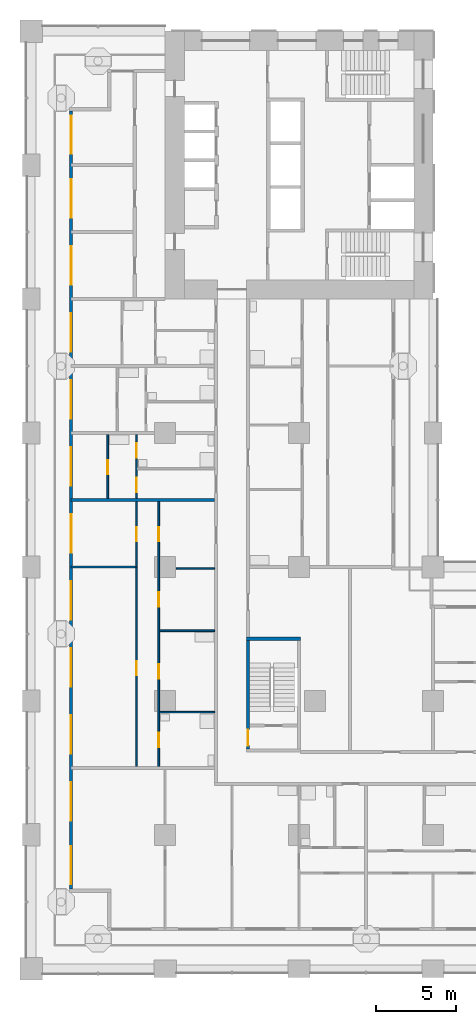
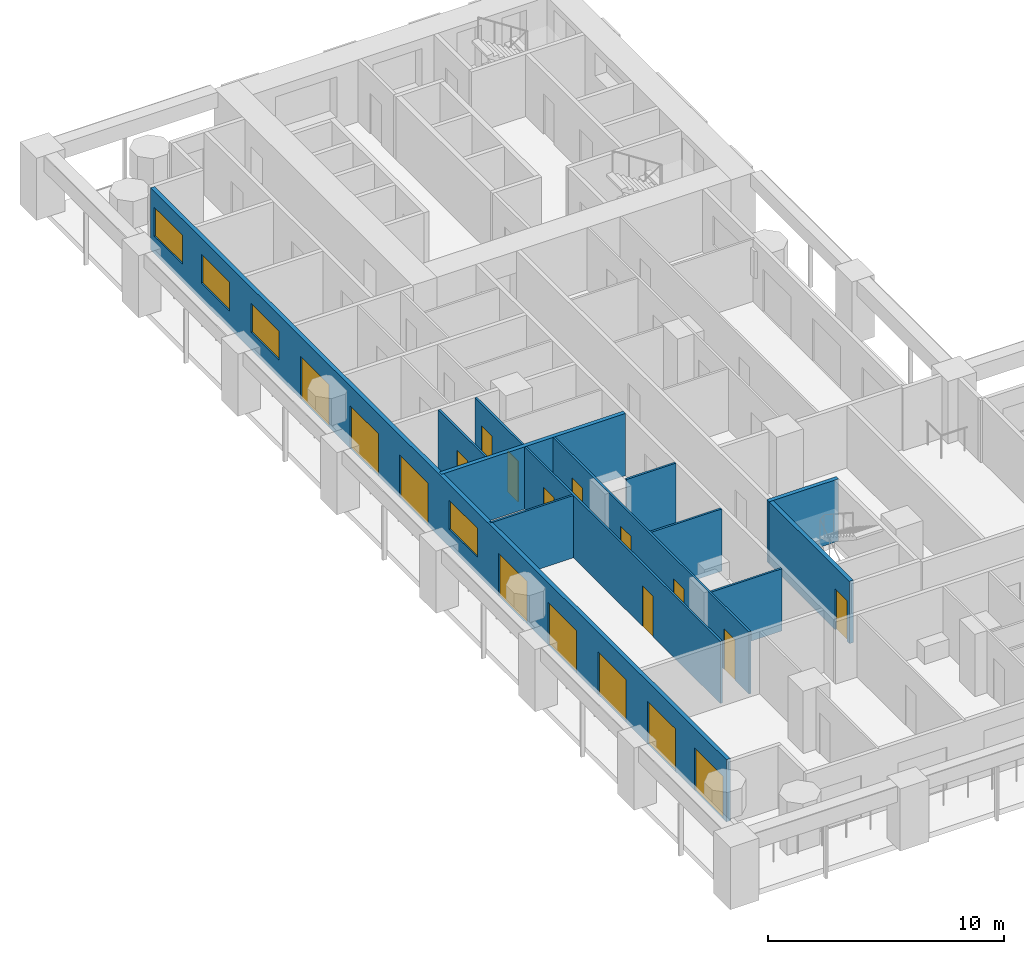
# One storey, part 4 of 23: 18 doors, 11 walls, 4 windows, 22 openings.
"""IFC4 building model written with IfcOpenShell, lengths in metres."""

from ifc_helpers import new_model, si_unit, direction, frame, frame_2d, origin, place, context, subcontext, project, spatial, rectangle, extrude, material, layer, layer_set, type_object, element, fill, save


model = new_model("IFC4")

# Units and contexts
model_context = context("Model", 3, precision=1e-05, world=origin(), true_north=direction((0.0, 1.0)))
body_context = subcontext(model_context, "Body", "Model", "MODEL_VIEW")
ifc_project = project(units=[si_unit("LENGTHUNIT", "METRE"), si_unit("AREAUNIT", "SQUARE_METRE"), si_unit("VOLUMEUNIT", "CUBIC_METRE"), si_unit("PLANEANGLEUNIT", "RADIAN"), si_unit("MASSUNIT", "GRAM", prefix="KILO")], contexts=[model_context])

# Site, building, storey
site_placement = place(None, origin())
site = spatial("IfcSite", under=ifc_project, at=site_placement, CompositionType="ELEMENT")
building_placement = place(site_placement, origin())
building = spatial("IfcBuilding", under=site, at=building_placement, Name="Vermilion Gate Residences", CompositionType="ELEMENT")
storey_placement = place(building_placement, frame((0.0, 0.0, 25.199951171875)))
storey = spatial("IfcBuildingStorey", under=building, at=storey_placement, Name="L04", CompositionType="ELEMENT", Elevation=25.199951171875)

# Wall, openings, doors, windows
ifc_material_1 = material(Name="Insulated steel stud wall with terracotta rainscreen", Category="masonry")
ifc_layer_1 = layer(ifc_material_1, 0.199951171875)
ifc_layer_set_1 = layer_set([ifc_layer_1], Name="EXTERNAL WALL 200 TERRACOTTA RAINSCREEN")
wall_type_1 = type_object("IfcWallType", Name="EXTERNAL WALL 200 TERRACOTTA RAINSCREEN", PredefinedType="SOLIDWALL", material=ifc_layer_set_1)
wall_1_placement = place(storey_placement, frame((2.5, 53.800048828125, 0.0), z_axis=(0.0, 0.0, 1.0), x_axis=(0.0, -1.0, 0.0)))
wall_1 = element("IfcWall", 1, at=wall_1_placement, inside=storey, type_object=wall_type_1, Name="External wall", PredefinedType="SOLIDWALL", context=body_context, shape_type="SweptSolid", body=[
    extrude(rectangle(XDim=48.800048828125, YDim=0.199951171875, at=frame_2d((24.39990234375, 0.0))), origin(), (0.0, 0.0, 1.0), 3.219970703125),
])
opening_1_placement = place(wall_1_placement, frame((46.10009765625, 0.0, 0.0)))
opening_1 = element("IfcOpeningElement", 2, at=opening_1_placement, cuts=wall_1, Name="Opening DE04002", PredefinedType="OPENING", context=body_context, shape_type="SweptSolid", body=[
    extrude(rectangle(XDim=2.39990234375, YDim=2.199951171875, at=frame_2d((1.199951171875, 1.10009765625))), frame((0.0, 0.10986328125, 0.0), z_axis=(0.0, -1.0, 0.0), x_axis=(1.0, 0.0, 0.0)), (0.0, 0.0, 1.0), 0.219970703125),
])
opening_2_placement = place(wall_1_placement, frame((42.10009765625, 0.0, 0.0)))
opening_2 = element("IfcOpeningElement", 3, at=opening_2_placement, cuts=wall_1, Name="Opening DE04003", PredefinedType="OPENING", context=body_context, shape_type="SweptSolid", body=[
    extrude(rectangle(XDim=2.39990234375, YDim=2.199951171875, at=frame_2d((1.199951171875, 1.10009765625))), frame((0.0, 0.10986328125, 0.0), z_axis=(0.0, -1.0, 0.0), x_axis=(1.0, 0.0, 0.0)), (0.0, 0.0, 1.0), 0.219970703125),
])
opening_3_placement = place(wall_1_placement, frame((37.89990234375, 0.0, 0.0)))
opening_3 = element("IfcOpeningElement", 4, at=opening_3_placement, cuts=wall_1, Name="Opening DE04004", PredefinedType="OPENING", context=body_context, shape_type="SweptSolid", body=[
    extrude(rectangle(XDim=2.39990234375, YDim=2.199951171875, at=frame_2d((1.199951171875, 1.10009765625))), frame((0.0, 0.10986328125, 0.0), z_axis=(0.0, -1.0, 0.0), x_axis=(1.0, 0.0, 0.0)), (0.0, 0.0, 1.0), 0.219970703125),
])
opening_4_placement = place(wall_1_placement, frame((33.699951171875, 0.0, 0.0)))
opening_4 = element("IfcOpeningElement", 5, at=opening_4_placement, cuts=wall_1, Name="Opening DE04005", PredefinedType="OPENING", context=body_context, shape_type="SweptSolid", body=[
    extrude(rectangle(XDim=2.39990234375, YDim=2.199951171875, at=frame_2d((1.199951171875, 1.10009765625))), frame((0.0, 0.10986328125, 0.0), z_axis=(0.0, -1.0, 0.0), x_axis=(1.0, 0.0, 0.0)), (0.0, 0.0, 1.0), 0.219970703125),
])
opening_5_placement = place(wall_1_placement, frame((29.5, 0.0, 0.0)))
opening_5 = element("IfcOpeningElement", 6, at=opening_5_placement, cuts=wall_1, Name="Opening DE04006", PredefinedType="OPENING", context=body_context, shape_type="SweptSolid", body=[
    extrude(rectangle(XDim=2.39990234375, YDim=2.199951171875, at=frame_2d((1.199951171875, 1.10009765625))), frame((0.0, 0.10986328125, 0.0), z_axis=(0.0, -1.0, 0.0), x_axis=(1.0, 0.0, 0.0)), (0.0, 0.0, 1.0), 0.219970703125),
])
opening_6_placement = place(wall_1_placement, frame((25.300048828125, 0.0, 0.89990234375)))
opening_6 = element("IfcOpeningElement", 7, at=opening_6_placement, cuts=wall_1, Name="Opening WE04007", PredefinedType="OPENING", context=body_context, shape_type="SweptSolid", body=[
    extrude(rectangle(XDim=2.39990234375, YDim=1.5, at=frame_2d((1.199951171875, 0.75))), frame((0.0, 0.10986328125, 0.0), z_axis=(0.0, -1.0, 0.0), x_axis=(1.0, 0.0, 0.0)), (0.0, 0.0, 1.0), 0.219970703125),
])
opening_7_placement = place(wall_1_placement, frame((21.10009765625, 0.0, 0.0)))
opening_7 = element("IfcOpeningElement", 8, at=opening_7_placement, cuts=wall_1, Name="Opening DE04008", PredefinedType="OPENING", context=body_context, shape_type="SweptSolid", body=[
    extrude(rectangle(XDim=2.39990234375, YDim=2.199951171875, at=frame_2d((1.199951171875, 1.10009765625))), frame((0.0, 0.10986328125, 0.0), z_axis=(0.0, -1.0, 0.0), x_axis=(1.0, 0.0, 0.0)), (0.0, 0.0, 1.0), 0.219970703125),
])
opening_8_placement = place(wall_1_placement, frame((16.89990234375, 0.0, 0.0)))
opening_8 = element("IfcOpeningElement", 9, at=opening_8_placement, cuts=wall_1, Name="Opening DE04009", PredefinedType="OPENING", context=body_context, shape_type="SweptSolid", body=[
    extrude(rectangle(XDim=2.39990234375, YDim=2.199951171875, at=frame_2d((1.199951171875, 1.10009765625))), frame((0.0, 0.10986328125, 0.0), z_axis=(0.0, -1.0, 0.0), x_axis=(1.0, 0.0, 0.0)), (0.0, 0.0, 1.0), 0.219970703125),
])
opening_9_placement = place(wall_1_placement, frame((12.699951171875, 0.0, 0.0)))
opening_9 = element("IfcOpeningElement", 10, at=opening_9_placement, cuts=wall_1, Name="Opening DE04010", PredefinedType="OPENING", context=body_context, shape_type="SweptSolid", body=[
    extrude(rectangle(XDim=2.39990234375, YDim=2.199951171875, at=frame_2d((1.199951171875, 1.10009765625))), frame((0.0, 0.10986328125, 0.0), z_axis=(0.0, -1.0, 0.0), x_axis=(1.0, 0.0, 0.0)), (0.0, 0.0, 1.0), 0.219970703125),
])
opening_10_placement = place(wall_1_placement, frame((8.5, 0.0, 0.89990234375)))
opening_10 = element("IfcOpeningElement", 11, at=opening_10_placement, cuts=wall_1, Name="Opening WE04011", PredefinedType="OPENING", context=body_context, shape_type="SweptSolid", body=[
    extrude(rectangle(XDim=2.39990234375, YDim=1.5, at=frame_2d((1.199951171875, 0.75))), frame((0.0, 0.10986328125, 0.0), z_axis=(0.0, -1.0, 0.0), x_axis=(1.0, 0.0, 0.0)), (0.0, 0.0, 1.0), 0.219970703125),
])
opening_11_placement = place(wall_1_placement, frame((4.300048828125, 0.0, 0.89990234375)))
opening_11 = element("IfcOpeningElement", 12, at=opening_11_placement, cuts=wall_1, Name="Opening WE04012", PredefinedType="OPENING", context=body_context, shape_type="SweptSolid", body=[
    extrude(rectangle(XDim=2.39990234375, YDim=1.5, at=frame_2d((1.199951171875, 0.75))), frame((0.0, 0.10986328125, 0.0), z_axis=(0.0, -1.0, 0.0), x_axis=(1.0, 0.0, 0.0)), (0.0, 0.0, 1.0), 0.219970703125),
])
opening_12_placement = place(wall_1_placement, frame((0.300048828125, 0.0, 0.89990234375)))
opening_12 = element("IfcOpeningElement", 13, at=opening_12_placement, cuts=wall_1, Name="Opening WE04013", PredefinedType="OPENING", context=body_context, shape_type="SweptSolid", body=[
    extrude(rectangle(XDim=2.39990234375, YDim=1.5, at=frame_2d((1.199951171875, 0.75))), frame((0.0, 0.10986328125, 0.0), z_axis=(0.0, -1.0, 0.0), x_axis=(1.0, 0.0, 0.0)), (0.0, 0.0, 1.0), 0.219970703125),
])
ifc_material_2 = material(Name="Aluminium and clear glass", Category="aluminium")
door_type_1 = type_object("IfcDoorType", Name="SLIDING GLAZED DOOR 2400 X 2200", OperationType="DOUBLE_DOOR_SLIDING", PredefinedType="DOOR", material=ifc_material_2)
door_1_placement = place(opening_1_placement, origin())
door_1 = element("IfcDoor", 14, at=door_1_placement, inside=storey, type_object=door_type_1, Name="Loggia sliding door", OperationType="DOUBLE_DOOR_SLIDING", OverallHeight=2.199951171875, OverallWidth=2.39990234375, PredefinedType="DOOR", context=body_context, shape_type="SweptSolid", body=[
    extrude(rectangle(XDim=2.39990234375, YDim=2.199951171875, at=frame_2d((1.199951171875, 1.10009765625))), frame((0.0, 0.02490234375, 0.0), z_axis=(0.0, -1.0, 0.0), x_axis=(1.0, 0.0, 0.0)), (0.0, 0.0, 1.0), 0.050048828125),
])
fill(opening_1, door_1)
door_2_placement = place(opening_2_placement, origin())
door_2 = element("IfcDoor", 15, at=door_2_placement, inside=storey, type_object=door_type_1, Name="Loggia sliding door", OperationType="DOUBLE_DOOR_SLIDING", OverallHeight=2.199951171875, OverallWidth=2.39990234375, PredefinedType="DOOR", context=body_context, shape_type="SweptSolid", body=[
    extrude(rectangle(XDim=2.39990234375, YDim=2.199951171875, at=frame_2d((1.199951171875, 1.10009765625))), frame((0.0, 0.02490234375, 0.0), z_axis=(0.0, -1.0, 0.0), x_axis=(1.0, 0.0, 0.0)), (0.0, 0.0, 1.0), 0.050048828125),
])
fill(opening_2, door_2)
door_3_placement = place(opening_3_placement, origin())
door_3 = element("IfcDoor", 16, at=door_3_placement, inside=storey, type_object=door_type_1, Name="Loggia sliding door", OperationType="DOUBLE_DOOR_SLIDING", OverallHeight=2.199951171875, OverallWidth=2.39990234375, PredefinedType="DOOR", context=body_context, shape_type="SweptSolid", body=[
    extrude(rectangle(XDim=2.39990234375, YDim=2.199951171875, at=frame_2d((1.199951171875, 1.10009765625))), frame((0.0, 0.02490234375, 0.0), z_axis=(0.0, -1.0, 0.0), x_axis=(1.0, 0.0, 0.0)), (0.0, 0.0, 1.0), 0.050048828125),
])
fill(opening_3, door_3)
door_4_placement = place(opening_4_placement, origin())
door_4 = element("IfcDoor", 17, at=door_4_placement, inside=storey, type_object=door_type_1, Name="Loggia sliding door", OperationType="DOUBLE_DOOR_SLIDING", OverallHeight=2.199951171875, OverallWidth=2.39990234375, PredefinedType="DOOR", context=body_context, shape_type="SweptSolid", body=[
    extrude(rectangle(XDim=2.39990234375, YDim=2.199951171875, at=frame_2d((1.199951171875, 1.10009765625))), frame((0.0, 0.02490234375, 0.0), z_axis=(0.0, -1.0, 0.0), x_axis=(1.0, 0.0, 0.0)), (0.0, 0.0, 1.0), 0.050048828125),
])
fill(opening_4, door_4)
door_5_placement = place(opening_5_placement, origin())
door_5 = element("IfcDoor", 18, at=door_5_placement, inside=storey, type_object=door_type_1, Name="Loggia sliding door", OperationType="DOUBLE_DOOR_SLIDING", OverallHeight=2.199951171875, OverallWidth=2.39990234375, PredefinedType="DOOR", context=body_context, shape_type="SweptSolid", body=[
    extrude(rectangle(XDim=2.39990234375, YDim=2.199951171875, at=frame_2d((1.199951171875, 1.10009765625))), frame((0.0, 0.02490234375, 0.0), z_axis=(0.0, -1.0, 0.0), x_axis=(1.0, 0.0, 0.0)), (0.0, 0.0, 1.0), 0.050048828125),
])
fill(opening_5, door_5)
door_6_placement = place(opening_7_placement, origin())
door_6 = element("IfcDoor", 19, at=door_6_placement, inside=storey, type_object=door_type_1, Name="Loggia sliding door", OperationType="DOUBLE_DOOR_SLIDING", OverallHeight=2.199951171875, OverallWidth=2.39990234375, PredefinedType="DOOR", context=body_context, shape_type="SweptSolid", body=[
    extrude(rectangle(XDim=2.39990234375, YDim=2.199951171875, at=frame_2d((1.199951171875, 1.10009765625))), frame((0.0, 0.02490234375, 0.0), z_axis=(0.0, -1.0, 0.0), x_axis=(1.0, 0.0, 0.0)), (0.0, 0.0, 1.0), 0.050048828125),
])
fill(opening_7, door_6)
door_7_placement = place(opening_8_placement, origin())
door_7 = element("IfcDoor", 20, at=door_7_placement, inside=storey, type_object=door_type_1, Name="Loggia sliding door", OperationType="DOUBLE_DOOR_SLIDING", OverallHeight=2.199951171875, OverallWidth=2.39990234375, PredefinedType="DOOR", context=body_context, shape_type="SweptSolid", body=[
    extrude(rectangle(XDim=2.39990234375, YDim=2.199951171875, at=frame_2d((1.199951171875, 1.10009765625))), frame((0.0, 0.02490234375, 0.0), z_axis=(0.0, -1.0, 0.0), x_axis=(1.0, 0.0, 0.0)), (0.0, 0.0, 1.0), 0.050048828125),
])
fill(opening_8, door_7)
door_8_placement = place(opening_9_placement, origin())
door_8 = element("IfcDoor", 21, at=door_8_placement, inside=storey, type_object=door_type_1, Name="Loggia sliding door", OperationType="DOUBLE_DOOR_SLIDING", OverallHeight=2.199951171875, OverallWidth=2.39990234375, PredefinedType="DOOR", context=body_context, shape_type="SweptSolid", body=[
    extrude(rectangle(XDim=2.39990234375, YDim=2.199951171875, at=frame_2d((1.199951171875, 1.10009765625))), frame((0.0, 0.02490234375, 0.0), z_axis=(0.0, -1.0, 0.0), x_axis=(1.0, 0.0, 0.0)), (0.0, 0.0, 1.0), 0.050048828125),
])
fill(opening_9, door_8)
ifc_material_3 = material(Name="Aluminium and clear glass", Category="aluminium")
window_type = type_object("IfcWindowType", Name="WINDOW 2400 X 1500", PartitioningType="SINGLE_PANEL", PredefinedType="WINDOW", material=ifc_material_3)
window_1_placement = place(opening_6_placement, origin())
window_1 = element("IfcWindow", 22, at=window_1_placement, inside=storey, type_object=window_type, Name="Window", OverallHeight=1.5, OverallWidth=2.39990234375, PartitioningType="SINGLE_PANEL", PredefinedType="WINDOW", context=body_context, shape_type="SweptSolid", body=[
    extrude(rectangle(XDim=2.39990234375, YDim=1.5, at=frame_2d((1.199951171875, 0.75))), frame((0.0, 0.030029296875, 0.0), z_axis=(0.0, -1.0, 0.0), x_axis=(1.0, 0.0, 0.0)), (0.0, 0.0, 1.0), 0.06005859375),
])
fill(opening_6, window_1)
window_2_placement = place(opening_10_placement, origin())
window_2 = element("IfcWindow", 23, at=window_2_placement, inside=storey, type_object=window_type, Name="Window", OverallHeight=1.5, OverallWidth=2.39990234375, PartitioningType="SINGLE_PANEL", PredefinedType="WINDOW", context=body_context, shape_type="SweptSolid", body=[
    extrude(rectangle(XDim=2.39990234375, YDim=1.5, at=frame_2d((1.199951171875, 0.75))), frame((0.0, 0.030029296875, 0.0), z_axis=(0.0, -1.0, 0.0), x_axis=(1.0, 0.0, 0.0)), (0.0, 0.0, 1.0), 0.06005859375),
])
fill(opening_10, window_2)
window_3_placement = place(opening_11_placement, origin())
window_3 = element("IfcWindow", 24, at=window_3_placement, inside=storey, type_object=window_type, Name="Window", OverallHeight=1.5, OverallWidth=2.39990234375, PartitioningType="SINGLE_PANEL", PredefinedType="WINDOW", context=body_context, shape_type="SweptSolid", body=[
    extrude(rectangle(XDim=2.39990234375, YDim=1.5, at=frame_2d((1.199951171875, 0.75))), frame((0.0, 0.030029296875, 0.0), z_axis=(0.0, -1.0, 0.0), x_axis=(1.0, 0.0, 0.0)), (0.0, 0.0, 1.0), 0.06005859375),
])
fill(opening_11, window_3)
window_4_placement = place(opening_12_placement, origin())
window_4 = element("IfcWindow", 25, at=window_4_placement, inside=storey, type_object=window_type, Name="Window", OverallHeight=1.5, OverallWidth=2.39990234375, PartitioningType="SINGLE_PANEL", PredefinedType="WINDOW", context=body_context, shape_type="SweptSolid", body=[
    extrude(rectangle(XDim=2.39990234375, YDim=1.5, at=frame_2d((1.199951171875, 0.75))), frame((0.0, 0.030029296875, 0.0), z_axis=(0.0, -1.0, 0.0), x_axis=(1.0, 0.0, 0.0)), (0.0, 0.0, 1.0), 0.06005859375),
])
fill(opening_12, window_4)

# Walls
ifc_material_4 = material(Name="Plasterboard on steel studs", Category="steel")
ifc_layer_2 = layer(ifc_material_4, 0.10009765625)
ifc_layer_set_2 = layer_set([ifc_layer_2], Name="PARTITION 100")
wall_type_2 = type_object("IfcWallType", Name="PARTITION 100", PredefinedType="PARTITIONING", material=ifc_layer_set_2)
for number, where, z_axis, x_axis, name in (
    (26, (8.050048828125, 16.10009765625, 0.0), (0.0, 0.0, 1.0), (1.0, 0.0, 0.0), "Partition"),
    (27, (8.050048828125, 21.199951171875, 0.0), (0.0, 0.0, 1.0), (1.0, 0.0, 0.0), "Partition"),
):
    element("IfcWall", number, at=place(storey_placement, frame(where, z_axis=z_axis, x_axis=x_axis)), inside=storey, type_object=wall_type_2, Name=name, PredefinedType="PARTITIONING", context=body_context, shape_type="SweptSolid", body=[
        extrude(rectangle(XDim=3.449951171875, YDim=0.10009765625, at=frame_2d((1.72509765625, 0.0))), origin(), (0.0, 0.0, 1.0), 3.219970703125),
    ])
wall_2_placement = place(storey_placement, frame((9.10009765625, 25.10009765625, 0.0), z_axis=(0.0, 0.0, 1.0), x_axis=(1.0, 0.0, 0.0)))
element("IfcWall", 28, at=wall_2_placement, inside=storey, type_object=wall_type_2, Name="Partition", PredefinedType="PARTITIONING", context=body_context, shape_type="SweptSolid", body=[
    extrude(rectangle(XDim=2.39990234375, YDim=0.10009765625, at=frame_2d((1.199951171875, 0.0))), origin(), (0.0, 0.0, 1.0), 3.219970703125),
])
wall_3_placement = place(storey_placement, frame((2.5, 25.199951171875, 0.0), z_axis=(0.0, 0.0, 1.0), x_axis=(1.0, 0.0, 0.0)))
element("IfcWall", 29, at=wall_3_placement, inside=storey, type_object=wall_type_2, Name="Partition", PredefinedType="PARTITIONING", context=body_context, shape_type="SweptSolid", body=[
    extrude(rectangle(XDim=4.050048828125, YDim=0.10009765625, at=frame_2d((2.02490234375, 0.0))), origin(), (0.0, 0.0, 1.0), 3.219970703125),
])

# Wall, opening, door
wall_4_placement = place(storey_placement, frame((4.800048828125, 29.5, 0.0), z_axis=(0.0, 0.0, 1.0), x_axis=(0.0, 1.0, 0.0)))
wall_4 = element("IfcWall", 30, at=wall_4_placement, inside=storey, type_object=wall_type_2, Name="Partition", PredefinedType="PARTITIONING", context=body_context, shape_type="SweptSolid", body=[
    extrude(rectangle(XDim=4.0, YDim=0.10009765625, at=frame_2d((2.0, 0.0))), origin(), (0.0, 0.0, 1.0), 3.219970703125),
])
opening_13_placement = place(wall_4_placement, frame((1.5, 0.0, 0.0)))
opening_13 = element("IfcOpeningElement", 31, at=opening_13_placement, cuts=wall_4, Name="Opening DA04032", PredefinedType="OPENING", context=body_context, shape_type="SweptSolid", body=[
    extrude(rectangle(XDim=0.89990234375, YDim=2.10009765625, at=frame_2d((0.449951171875, 1.050048828125))), frame((0.0, 0.06005859375, 0.0), z_axis=(0.0, -1.0, 0.0), x_axis=(1.0, 0.0, 0.0)), (0.0, 0.0, 1.0), 0.1201171875),
])
ifc_material_5 = material(Name="Timber", Category="wood")
door_type_2 = type_object("IfcDoorType", Name="INTERIOR DOOR 900 X 2100", OperationType="SINGLE_SWING_LEFT", PredefinedType="DOOR", material=ifc_material_5)
door_9_placement = place(opening_13_placement, frame((0.89990234375, 0.0, 0.0), z_axis=(0.0, 0.0, 1.0), x_axis=(-1.0, 0.0, 0.0)))
door_9 = element("IfcDoor", 32, at=door_9_placement, inside=storey, type_object=door_type_2, Name="Interior door", OperationType="SINGLE_SWING_LEFT", OverallHeight=2.10009765625, OverallWidth=0.89990234375, PredefinedType="DOOR", context=body_context, shape_type="SweptSolid", body=[
    extrude(rectangle(XDim=0.89990234375, YDim=2.10009765625, at=frame_2d((0.449951171875, 1.050048828125))), frame((0.0, 0.02490234375, 0.0), z_axis=(0.0, -1.0, 0.0), x_axis=(1.0, 0.0, 0.0)), (0.0, 0.0, 1.0), 0.050048828125),
])
fill(opening_13, door_9)

# Wall, openings, doors
wall_5_placement = place(storey_placement, frame((6.60009765625, 12.699951171875, 0.0), z_axis=(0.0, 0.0, 1.0), x_axis=(0.0, 1.0, 0.0)))
wall_5 = element("IfcWall", 33, at=wall_5_placement, inside=storey, type_object=wall_type_2, Name="Partition", PredefinedType="PARTITIONING", context=body_context, shape_type="SweptSolid", body=[
    extrude(rectangle(XDim=20.800048828125, YDim=0.10009765625, at=frame_2d((10.39990234375, 0.0))), origin(), (0.0, 0.0, 1.0), 3.219970703125),
])
opening_14_placement = place(wall_5_placement, frame((5.699951171875, 0.0, 0.0)))
opening_14 = element("IfcOpeningElement", 34, at=opening_14_placement, cuts=wall_5, Name="Opening DA04038", PredefinedType="OPENING", context=body_context, shape_type="SweptSolid", body=[
    extrude(rectangle(XDim=0.89990234375, YDim=2.10009765625, at=frame_2d((0.449951171875, 1.050048828125))), frame((0.0, 0.06005859375, 0.0), z_axis=(0.0, -1.0, 0.0), x_axis=(1.0, 0.0, 0.0)), (0.0, 0.0, 1.0), 0.1201171875),
])
opening_15_placement = place(wall_5_placement, frame((14.10009765625, 0.0, 0.0)))
opening_15 = element("IfcOpeningElement", 35, at=opening_15_placement, cuts=wall_5, Name="Opening DA04039", PredefinedType="OPENING", context=body_context, shape_type="SweptSolid", body=[
    extrude(rectangle(XDim=0.89990234375, YDim=2.10009765625, at=frame_2d((0.449951171875, 1.050048828125))), frame((0.0, 0.06005859375, 0.0), z_axis=(0.0, -1.0, 0.0), x_axis=(1.0, 0.0, 0.0)), (0.0, 0.0, 1.0), 0.1201171875),
])
opening_16_placement = place(wall_5_placement, frame((17.199951171875, 0.0, 0.0)))
opening_16 = element("IfcOpeningElement", 36, at=opening_16_placement, cuts=wall_5, Name="Opening DA04040", PredefinedType="OPENING", context=body_context, shape_type="SweptSolid", body=[
    extrude(rectangle(XDim=0.89990234375, YDim=2.10009765625, at=frame_2d((0.449951171875, 1.050048828125))), frame((0.0, 0.06005859375, 0.0), z_axis=(0.0, -1.0, 0.0), x_axis=(1.0, 0.0, 0.0)), (0.0, 0.0, 1.0), 0.1201171875),
])
opening_17_placement = place(wall_5_placement, frame((19.360107421875, 0.0, 0.0)))
opening_17 = element("IfcOpeningElement", 37, at=opening_17_placement, cuts=wall_5, Name="Opening DA04041", PredefinedType="OPENING", context=body_context, shape_type="SweptSolid", body=[
    extrude(rectangle(XDim=0.89990234375, YDim=2.10009765625, at=frame_2d((0.449951171875, 1.050048828125))), frame((0.0, 0.06005859375, 0.0), z_axis=(0.0, -1.0, 0.0), x_axis=(1.0, 0.0, 0.0)), (0.0, 0.0, 1.0), 0.1201171875),
])
door_10_placement = place(opening_14_placement, origin())
door_10 = element("IfcDoor", 38, at=door_10_placement, inside=storey, type_object=door_type_2, Name="Interior door", OperationType="SINGLE_SWING_LEFT", OverallHeight=2.10009765625, OverallWidth=0.89990234375, PredefinedType="DOOR", context=body_context, shape_type="SweptSolid", body=[
    extrude(rectangle(XDim=0.89990234375, YDim=2.10009765625, at=frame_2d((0.449951171875, 1.050048828125))), frame((0.0, 0.02490234375, 0.0), z_axis=(0.0, -1.0, 0.0), x_axis=(1.0, 0.0, 0.0)), (0.0, 0.0, 1.0), 0.050048828125),
])
fill(opening_14, door_10)
door_11_placement = place(opening_15_placement, origin())
door_11 = element("IfcDoor", 39, at=door_11_placement, inside=storey, type_object=door_type_2, Name="Interior door", OperationType="SINGLE_SWING_LEFT", OverallHeight=2.10009765625, OverallWidth=0.89990234375, PredefinedType="DOOR", context=body_context, shape_type="SweptSolid", body=[
    extrude(rectangle(XDim=0.89990234375, YDim=2.10009765625, at=frame_2d((0.449951171875, 1.050048828125))), frame((0.0, 0.02490234375, 0.0), z_axis=(0.0, -1.0, 0.0), x_axis=(1.0, 0.0, 0.0)), (0.0, 0.0, 1.0), 0.050048828125),
])
fill(opening_15, door_11)
door_12_placement = place(opening_16_placement, origin())
door_12 = element("IfcDoor", 40, at=door_12_placement, inside=storey, type_object=door_type_2, Name="Interior door", OperationType="SINGLE_SWING_LEFT", OverallHeight=2.10009765625, OverallWidth=0.89990234375, PredefinedType="DOOR", context=body_context, shape_type="SweptSolid", body=[
    extrude(rectangle(XDim=0.89990234375, YDim=2.10009765625, at=frame_2d((0.449951171875, 1.050048828125))), frame((0.0, 0.02490234375, 0.0), z_axis=(0.0, -1.0, 0.0), x_axis=(1.0, 0.0, 0.0)), (0.0, 0.0, 1.0), 0.050048828125),
])
fill(opening_16, door_12)
door_13_placement = place(opening_17_placement, origin())
door_13 = element("IfcDoor", 41, at=door_13_placement, inside=storey, type_object=door_type_2, Name="Interior door", OperationType="SINGLE_SWING_LEFT", OverallHeight=2.10009765625, OverallWidth=0.89990234375, PredefinedType="DOOR", context=body_context, shape_type="SweptSolid", body=[
    extrude(rectangle(XDim=0.89990234375, YDim=2.10009765625, at=frame_2d((0.449951171875, 1.050048828125))), frame((0.0, 0.02490234375, 0.0), z_axis=(0.0, -1.0, 0.0), x_axis=(1.0, 0.0, 0.0)), (0.0, 0.0, 1.0), 0.050048828125),
])
fill(opening_17, door_13)

wall_6_placement = place(storey_placement, frame((8.0, 12.699951171875, 0.0), z_axis=(0.0, 0.0, 1.0), x_axis=(0.0, 1.0, 0.0)))
wall_6 = element("IfcWall", 42, at=wall_6_placement, inside=storey, type_object=wall_type_2, Name="Partition", PredefinedType="PARTITIONING", context=body_context, shape_type="SweptSolid", body=[
    extrude(rectangle(XDim=16.60009765625, YDim=0.10009765625, at=frame_2d((8.300048828125, 0.0))), origin(), (0.0, 0.0, 1.0), 3.219970703125),
])
opening_18_placement = place(wall_6_placement, frame((14.10009765625, 0.0, 0.0)))
opening_18 = element("IfcOpeningElement", 43, at=opening_18_placement, cuts=wall_6, Name="Opening DA04046", PredefinedType="OPENING", context=body_context, shape_type="SweptSolid", body=[
    extrude(rectangle(XDim=0.89990234375, YDim=2.10009765625, at=frame_2d((0.449951171875, 1.050048828125))), frame((0.0, 0.06005859375, 0.0), z_axis=(0.0, -1.0, 0.0), x_axis=(1.0, 0.0, 0.0)), (0.0, 0.0, 1.0), 0.1201171875),
])
opening_19_placement = place(wall_6_placement, frame((1.199951171875, 0.0, 0.0)))
opening_19 = element("IfcOpeningElement", 44, at=opening_19_placement, cuts=wall_6, Name="Opening DA04047", PredefinedType="OPENING", context=body_context, shape_type="SweptSolid", body=[
    extrude(rectangle(XDim=0.89990234375, YDim=2.10009765625, at=frame_2d((0.449951171875, 1.050048828125))), frame((0.0, 0.06005859375, 0.0), z_axis=(0.0, -1.0, 0.0), x_axis=(1.0, 0.0, 0.0)), (0.0, 0.0, 1.0), 0.1201171875),
])
opening_20_placement = place(wall_6_placement, frame((5.5, 0.0, 0.0)))
opening_20 = element("IfcOpeningElement", 45, at=opening_20_placement, cuts=wall_6, Name="Opening DA04048", PredefinedType="OPENING", context=body_context, shape_type="SweptSolid", body=[
    extrude(rectangle(XDim=0.89990234375, YDim=2.10009765625, at=frame_2d((0.449951171875, 1.050048828125))), frame((0.0, 0.06005859375, 0.0), z_axis=(0.0, -1.0, 0.0), x_axis=(1.0, 0.0, 0.0)), (0.0, 0.0, 1.0), 0.1201171875),
])
opening_21_placement = place(wall_6_placement, frame((10.0, 0.0, 0.0)))
opening_21 = element("IfcOpeningElement", 46, at=opening_21_placement, cuts=wall_6, Name="Opening DA04049", PredefinedType="OPENING", context=body_context, shape_type="SweptSolid", body=[
    extrude(rectangle(XDim=0.89990234375, YDim=2.10009765625, at=frame_2d((0.449951171875, 1.050048828125))), frame((0.0, 0.06005859375, 0.0), z_axis=(0.0, -1.0, 0.0), x_axis=(1.0, 0.0, 0.0)), (0.0, 0.0, 1.0), 0.1201171875),
])
door_14_placement = place(opening_18_placement, frame((0.89990234375, 0.0, 0.0), z_axis=(0.0, 0.0, 1.0), x_axis=(-1.0, 0.0, 0.0)))
door_14 = element("IfcDoor", 47, at=door_14_placement, inside=storey, type_object=door_type_2, Name="Interior door", OperationType="SINGLE_SWING_RIGHT", OverallHeight=2.10009765625, OverallWidth=0.89990234375, PredefinedType="DOOR", context=body_context, shape_type="SweptSolid", body=[
    extrude(rectangle(XDim=0.89990234375, YDim=2.10009765625, at=frame_2d((0.449951171875, 1.050048828125))), frame((0.0, 0.02490234375, 0.0), z_axis=(0.0, -1.0, 0.0), x_axis=(1.0, 0.0, 0.0)), (0.0, 0.0, 1.0), 0.050048828125),
])
fill(opening_18, door_14)
door_15_placement = place(opening_19_placement, frame((0.89990234375, 0.0, 0.0), z_axis=(0.0, 0.0, 1.0), x_axis=(-1.0, 0.0, 0.0)))
door_15 = element("IfcDoor", 48, at=door_15_placement, inside=storey, type_object=door_type_2, Name="Interior door", OperationType="SINGLE_SWING_LEFT", OverallHeight=2.10009765625, OverallWidth=0.89990234375, PredefinedType="DOOR", context=body_context, shape_type="SweptSolid", body=[
    extrude(rectangle(XDim=0.89990234375, YDim=2.10009765625, at=frame_2d((0.449951171875, 1.050048828125))), frame((0.0, 0.02490234375, 0.0), z_axis=(0.0, -1.0, 0.0), x_axis=(1.0, 0.0, 0.0)), (0.0, 0.0, 1.0), 0.050048828125),
])
fill(opening_19, door_15)
door_16_placement = place(opening_20_placement, frame((0.89990234375, 0.0, 0.0), z_axis=(0.0, 0.0, 1.0), x_axis=(-1.0, 0.0, 0.0)))
door_16 = element("IfcDoor", 49, at=door_16_placement, inside=storey, type_object=door_type_2, Name="Interior door", OperationType="SINGLE_SWING_RIGHT", OverallHeight=2.10009765625, OverallWidth=0.89990234375, PredefinedType="DOOR", context=body_context, shape_type="SweptSolid", body=[
    extrude(rectangle(XDim=0.89990234375, YDim=2.10009765625, at=frame_2d((0.449951171875, 1.050048828125))), frame((0.0, 0.02490234375, 0.0), z_axis=(0.0, -1.0, 0.0), x_axis=(1.0, 0.0, 0.0)), (0.0, 0.0, 1.0), 0.050048828125),
])
fill(opening_20, door_16)
door_17_placement = place(opening_21_placement, frame((0.89990234375, 0.0, 0.0), z_axis=(0.0, 0.0, 1.0), x_axis=(-1.0, 0.0, 0.0)))
door_17 = element("IfcDoor", 50, at=door_17_placement, inside=storey, type_object=door_type_2, Name="Interior door", OperationType="SINGLE_SWING_LEFT", OverallHeight=2.10009765625, OverallWidth=0.89990234375, PredefinedType="DOOR", context=body_context, shape_type="SweptSolid", body=[
    extrude(rectangle(XDim=0.89990234375, YDim=2.10009765625, at=frame_2d((0.449951171875, 1.050048828125))), frame((0.0, 0.02490234375, 0.0), z_axis=(0.0, -1.0, 0.0), x_axis=(1.0, 0.0, 0.0)), (0.0, 0.0, 1.0), 0.050048828125),
])
fill(opening_21, door_17)

# Wall
ifc_material_6 = material(Name="Fire-rated plasterboard on steel studs", Category="steel")
ifc_layer_3 = layer(ifc_material_6, 0.199951171875)
ifc_layer_set_3 = layer_set([ifc_layer_3], Name="PARTY WALL 200 EI 120")
wall_type_3 = type_object("IfcWallType", Name="PARTY WALL 200 EI 120", PredefinedType="PARTITIONING", material=ifc_layer_set_3)
wall_7_placement = place(storey_placement, frame((2.5, 29.39990234375, 0.0), z_axis=(0.0, 0.0, 1.0), x_axis=(1.0, 0.0, 0.0)))
element("IfcWall", 51, at=wall_7_placement, inside=storey, type_object=wall_type_3, Name="Party and corridor wall", PredefinedType="PARTITIONING", context=body_context, shape_type="SweptSolid", body=[
    extrude(rectangle(XDim=9.0, YDim=0.199951171875, at=frame_2d((4.5, 0.0))), origin(), (0.0, 0.0, 1.0), 3.219970703125),
])

# Wall, opening, door
ifc_material_7 = material(Name="Concrete C60", Category="concrete")
ifc_layer_4 = layer(ifc_material_7, 0.199951171875)
ifc_layer_set_4 = layer_set([ifc_layer_4], Name="RC CORE INTERNAL WALL 200 C60")
wall_type_4 = type_object("IfcWallType", Name="RC CORE INTERNAL WALL 200 C60", PredefinedType="SHEAR", material=ifc_layer_set_4)
wall_8_placement = place(storey_placement, frame((13.60009765625, 13.800048828125, 0.0), z_axis=(0.0, 0.0, 1.0), x_axis=(0.0, 1.0, 0.0)))
wall_8 = element("IfcWall", 52, at=wall_8_placement, inside=storey, type_object=wall_type_4, Name="Core internal wall C04-W", PredefinedType="SHEAR", context=body_context, shape_type="SweptSolid", body=[
    extrude(rectangle(XDim=6.800048828125, YDim=0.199951171875, at=frame_2d((3.39990234375, 0.0))), origin(), (0.0, 0.0, 1.0), 3.219970703125),
])
opening_22_placement = place(wall_8_placement, frame((0.199951171875, 0.0, 0.0)))
opening_22 = element("IfcOpeningElement", 53, at=opening_22_placement, cuts=wall_8, Name="Opening DK04201", PredefinedType="OPENING", context=body_context, shape_type="SweptSolid", body=[
    extrude(rectangle(XDim=1.0, YDim=2.10009765625, at=frame_2d((0.5, 1.050048828125))), frame((0.0, 0.10986328125, 0.0), z_axis=(0.0, -1.0, 0.0), x_axis=(1.0, 0.0, 0.0)), (0.0, 0.0, 1.0), 0.219970703125),
])
ifc_material_8 = material(Name="Steel", Category="steel")
door_type_3 = type_object("IfcDoorType", Name="FIRE DOOR FD60 1000 X 2100", OperationType="SINGLE_SWING_LEFT", PredefinedType="DOOR", material=ifc_material_8)
door_18_placement = place(opening_22_placement, frame((1.0, 0.0, 0.0), z_axis=(0.0, 0.0, 1.0), x_axis=(-1.0, 0.0, 0.0)))
door_18 = element("IfcDoor", 54, at=door_18_placement, inside=storey, type_object=door_type_3, Name="Stair vestibule door C04", OperationType="SINGLE_SWING_LEFT", OverallHeight=2.10009765625, OverallWidth=1.0, PredefinedType="DOOR", context=body_context, shape_type="SweptSolid", body=[
    extrude(rectangle(XDim=1.0, YDim=2.10009765625, at=frame_2d((0.5, 1.050048828125))), frame((0.0, 0.02490234375, 0.0), z_axis=(0.0, -1.0, 0.0), x_axis=(1.0, 0.0, 0.0)), (0.0, 0.0, 1.0), 0.050048828125),
])
fill(opening_22, door_18)

# Wall
wall_9_placement = place(storey_placement, frame((13.5, 20.699951171875, 0.0), z_axis=(0.0, 0.0, 1.0), x_axis=(1.0, 0.0, 0.0)))
element("IfcWall", 55, at=wall_9_placement, inside=storey, type_object=wall_type_4, Name="Core internal wall C04-N", PredefinedType="SHEAR", context=body_context, shape_type="SweptSolid", body=[
    extrude(rectangle(XDim=3.39990234375, YDim=0.199951171875, at=frame_2d((1.699951171875, 0.0))), origin(), (0.0, 0.0, 1.0), 3.219970703125),
])

save(model, "model.ifc")
